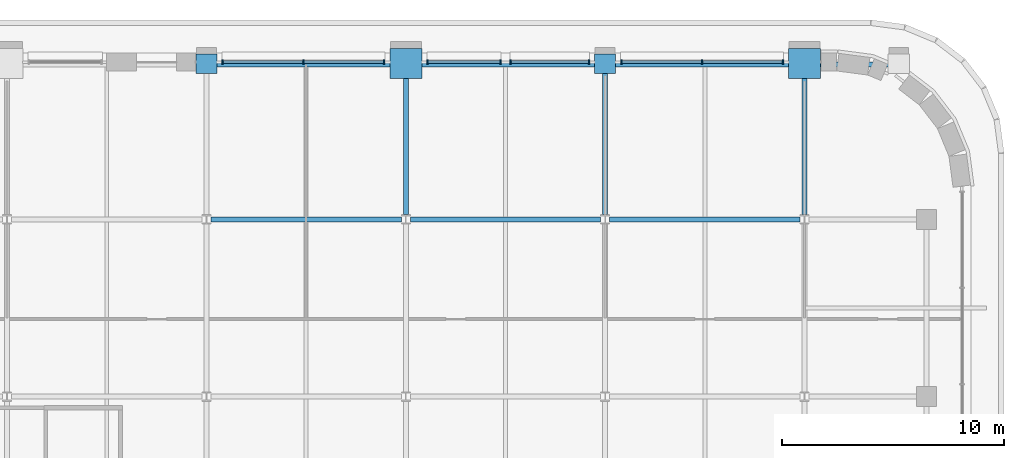
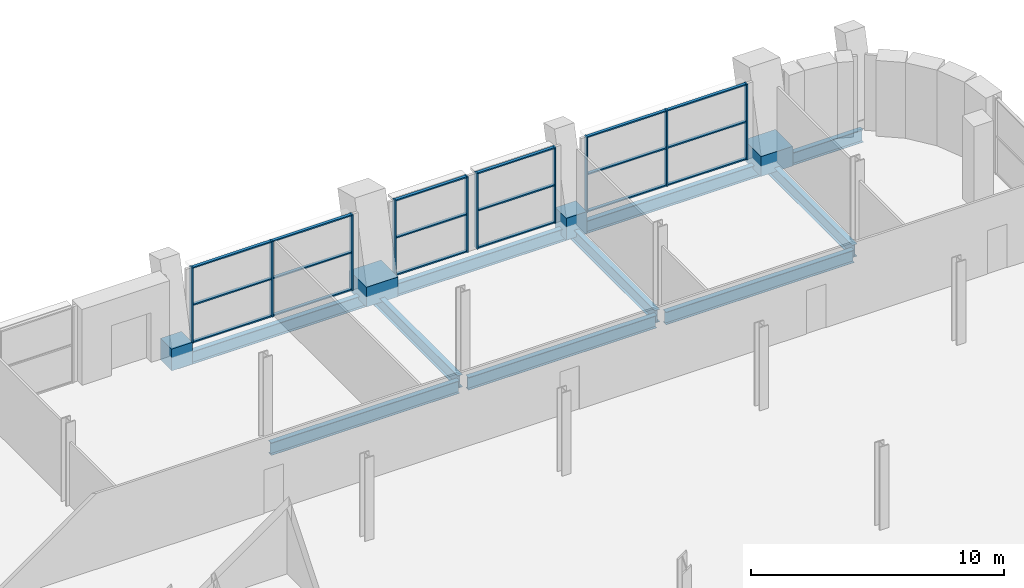
# One storey, part 8 of 23: 28 members, 12 beams, 4 elements without a shape of their own.
"""IFC4 building model written with IfcOpenShell, lengths in metres."""

from ifc_helpers import new_model, si_unit, direction, frame, origin, origin_2d, place, context, subcontext, project, spatial, rectangle, i_section, extrude, material, material_profile, profile_set, type_object, element, aggregate, save


model = new_model("IFC4")

# Units and contexts
model_context = context("Model", 3, precision=1e-05, world=origin(), true_north=direction((0.0, 1.0)))
body_context = subcontext(model_context, "Body", "Model", "MODEL_VIEW")
ifc_project = project(units=[si_unit("LENGTHUNIT", "METRE"), si_unit("AREAUNIT", "SQUARE_METRE"), si_unit("VOLUMEUNIT", "CUBIC_METRE"), si_unit("PLANEANGLEUNIT", "RADIAN"), si_unit("MASSUNIT", "GRAM", prefix="KILO")], contexts=[model_context])

# Site, building, storey
site_placement = place(None, origin())
site = spatial("IfcSite", under=ifc_project, at=site_placement, CompositionType="ELEMENT")
building_placement = place(site_placement, origin())
building = spatial("IfcBuilding", under=site, at=building_placement, Name="Zellij Exchange Tower", CompositionType="ELEMENT")
storey_placement = place(building_placement, frame((0.0, 0.0, 212.5)))
storey = spatial("IfcBuildingStorey", under=building, at=storey_placement, Name="L49", CompositionType="ELEMENT", Elevation=212.5)

# Curtain wall, members
ifc_material_1 = material(Name="Aluminium frame, clear insulating glass", Category="aluminium")
curtain_wall_type = type_object("IfcCurtainWallType", Name="ENV-CW6 Sky-lobby glazing", PredefinedType="NOTDEFINED", material=ifc_material_1)
curtain_wall_1_placement = place(storey_placement, origin())
curtain_wall_1 = element("IfcCurtainWall", 1, at=curtain_wall_1_placement, inside=storey, type_object=curtain_wall_type, Name="cw.L49.14b", PredefinedType="NOTDEFINED")
ifc_material_2 = material(Name="Aluminium", Category="aluminium")
ifc_material_profile_1 = material_profile(ifc_material_2, rectangle(XDim=0.06005859375, YDim=0.199951171875, at=origin_2d()), Name="AL 60x200")
ifc_profile_set_1 = profile_set([ifc_material_profile_1], Name="Aluminium")
member_type_1 = type_object("IfcMemberType", Name="ENV-CW6M Mullion 60x200", PredefinedType="MULLION", material=ifc_profile_set_1)
member_1_placement = place(storey_placement, frame((26.02001953125, 29.10009765625, 0.0), z_axis=(0.0, 0.0, 1.0), x_axis=(-1.0, 0.0, 0.0)))
member_1 = element("IfcMember", 2, at=member_1_placement, type_object=member_type_1, Name="CW6 mullion 1", PredefinedType="MULLION", context=body_context, shape_type="SweptSolid", body=[
    extrude(rectangle(XDim=0.06005859375, YDim=0.199951171875, at=origin_2d()), origin(), (0.0, 0.0, 1.0), 3.64990234375),
])
member_2_placement = place(storey_placement, frame((22.375, 29.10009765625, 0.0), z_axis=(0.0, 0.0, 1.0), x_axis=(-1.0, 0.0, 0.0)))
member_2 = element("IfcMember", 3, at=member_2_placement, type_object=member_type_1, Name="CW6 mullion 2", PredefinedType="MULLION", context=body_context, shape_type="SweptSolid", body=[
    extrude(rectangle(XDim=0.06005859375, YDim=0.199951171875, at=origin_2d()), origin(), (0.0, 0.0, 1.0), 3.64990234375),
])
member_3_placement = place(storey_placement, frame((18.72998046875, 29.10009765625, 0.0), z_axis=(0.0, 0.0, 1.0), x_axis=(-1.0, 0.0, 0.0)))
member_3 = element("IfcMember", 4, at=member_3_placement, type_object=member_type_1, Name="CW6 mullion 3", PredefinedType="MULLION", context=body_context, shape_type="SweptSolid", body=[
    extrude(rectangle(XDim=0.06005859375, YDim=0.199951171875, at=origin_2d()), origin(), (0.0, 0.0, 1.0), 3.64990234375),
])

curtain_wall_2_placement = place(storey_placement, origin())
curtain_wall_2 = element("IfcCurtainWall", 5, at=curtain_wall_2_placement, inside=storey, type_object=curtain_wall_type, Name="cw.L49.14c", PredefinedType="NOTDEFINED")
member_4_placement = place(storey_placement, frame((17.27001953125, 29.10009765625, 0.0), z_axis=(0.0, 0.0, 1.0), x_axis=(-1.0, 0.0, 0.0)))
member_4 = element("IfcMember", 6, at=member_4_placement, type_object=member_type_1, Name="CW6 mullion 1", PredefinedType="MULLION", context=body_context, shape_type="SweptSolid", body=[
    extrude(rectangle(XDim=0.06005859375, YDim=0.199951171875, at=origin_2d()), origin(), (0.0, 0.0, 1.0), 3.64990234375),
])
member_5_placement = place(storey_placement, frame((13.72998046875, 29.10009765625, 0.0), z_axis=(0.0, 0.0, 1.0), x_axis=(-1.0, 0.0, 0.0)))
member_5 = element("IfcMember", 7, at=member_5_placement, type_object=member_type_1, Name="CW6 mullion 2", PredefinedType="MULLION", context=body_context, shape_type="SweptSolid", body=[
    extrude(rectangle(XDim=0.06005859375, YDim=0.199951171875, at=origin_2d()), origin(), (0.0, 0.0, 1.0), 3.64990234375),
])

curtain_wall_3_placement = place(storey_placement, origin())
curtain_wall_3 = element("IfcCurtainWall", 8, at=curtain_wall_3_placement, inside=storey, type_object=curtain_wall_type, Name="cw.L49.14d", PredefinedType="NOTDEFINED")
member_6_placement = place(storey_placement, frame((13.27001953125, 29.10009765625, 0.0), z_axis=(0.0, 0.0, 1.0), x_axis=(-1.0, 0.0, 0.0)))
member_6 = element("IfcMember", 9, at=member_6_placement, type_object=member_type_1, Name="CW6 mullion 1", PredefinedType="MULLION", context=body_context, shape_type="SweptSolid", body=[
    extrude(rectangle(XDim=0.06005859375, YDim=0.199951171875, at=origin_2d()), origin(), (0.0, 0.0, 1.0), 3.64990234375),
])
member_7_placement = place(storey_placement, frame((9.97998046875, 29.10009765625, 0.0), z_axis=(0.0, 0.0, 1.0), x_axis=(-1.0, 0.0, 0.0)))
member_7 = element("IfcMember", 10, at=member_7_placement, type_object=member_type_1, Name="CW6 mullion 2", PredefinedType="MULLION", context=body_context, shape_type="SweptSolid", body=[
    extrude(rectangle(XDim=0.06005859375, YDim=0.199951171875, at=origin_2d()), origin(), (0.0, 0.0, 1.0), 3.64990234375),
])

curtain_wall_4_placement = place(storey_placement, origin())
curtain_wall_4 = element("IfcCurtainWall", 11, at=curtain_wall_4_placement, inside=storey, type_object=curtain_wall_type, Name="cw.L49.14e", PredefinedType="NOTDEFINED")
member_8_placement = place(storey_placement, frame((8.02001953125, 29.10009765625, 0.0), z_axis=(0.0, 0.0, 1.0), x_axis=(-1.0, 0.0, 0.0)))
member_8 = element("IfcMember", 12, at=member_8_placement, type_object=member_type_1, Name="CW6 mullion 1", PredefinedType="MULLION", context=body_context, shape_type="SweptSolid", body=[
    extrude(rectangle(XDim=0.06005859375, YDim=0.199951171875, at=origin_2d()), origin(), (0.0, 0.0, 1.0), 3.64990234375),
])
member_9_placement = place(storey_placement, frame((4.375, 29.10009765625, 0.0), z_axis=(0.0, 0.0, 1.0), x_axis=(-1.0, 0.0, 0.0)))
member_9 = element("IfcMember", 13, at=member_9_placement, type_object=member_type_1, Name="CW6 mullion 2", PredefinedType="MULLION", context=body_context, shape_type="SweptSolid", body=[
    extrude(rectangle(XDim=0.06005859375, YDim=0.199951171875, at=origin_2d()), origin(), (0.0, 0.0, 1.0), 3.64990234375),
])
member_10_placement = place(storey_placement, frame((0.72998046875, 29.10009765625, 0.0), z_axis=(0.0, 0.0, 1.0), x_axis=(-1.0, 0.0, 0.0)))
member_10 = element("IfcMember", 14, at=member_10_placement, type_object=member_type_1, Name="CW6 mullion 3", PredefinedType="MULLION", context=body_context, shape_type="SweptSolid", body=[
    extrude(rectangle(XDim=0.06005859375, YDim=0.199951171875, at=origin_2d()), origin(), (0.0, 0.0, 1.0), 3.64990234375),
])

# Member
ifc_material_profile_2 = material_profile(ifc_material_2, rectangle(XDim=0.139892578125, YDim=0.06005859375, at=origin_2d()), Name="AL 140x60")
ifc_profile_set_2 = profile_set([ifc_material_profile_2], Name="Aluminium")
member_type_2 = type_object("IfcMemberType", Name="ENV-CW6T Transom 140x60", PredefinedType="USERDEFINED", material=ifc_profile_set_2)
member_11_placement = place(storey_placement, frame((25.989990234375, 29.10009765625, 0.030029296875), z_axis=(-1.0, 0.0, 0.0), x_axis=(0.0, -1.0, 0.0)))
member_11 = element("IfcMember", 15, at=member_11_placement, type_object=member_type_2, Name="CW6 transom 1.1", ObjectType="TRANSOM", PredefinedType="USERDEFINED", context=body_context, shape_type="SweptSolid", body=[
    extrude(rectangle(XDim=0.139892578125, YDim=0.06005859375, at=origin_2d()), origin(), (0.0, 0.0, 1.0), 3.5849609375),
])

member_12_placement = place(storey_placement, frame((25.989990234375, 29.10009765625, 1.824951171875), z_axis=(-1.0, 0.0, 0.0), x_axis=(0.0, -1.0, 0.0)))
member_12 = element("IfcMember", 16, at=member_12_placement, type_object=member_type_2, Name="CW6 transom 1.2", ObjectType="TRANSOM", PredefinedType="USERDEFINED", context=body_context, shape_type="SweptSolid", body=[
    extrude(rectangle(XDim=0.139892578125, YDim=0.06005859375, at=origin_2d()), origin(), (0.0, 0.0, 1.0), 3.5849609375),
])

member_13_placement = place(storey_placement, frame((25.989990234375, 29.10009765625, 3.6201171875), z_axis=(-1.0, 0.0, 0.0), x_axis=(0.0, -1.0, 0.0)))
member_13 = element("IfcMember", 17, at=member_13_placement, type_object=member_type_2, Name="CW6 transom 1.3", ObjectType="TRANSOM", PredefinedType="USERDEFINED", context=body_context, shape_type="SweptSolid", body=[
    extrude(rectangle(XDim=0.139892578125, YDim=0.06005859375, at=origin_2d()), origin(), (0.0, 0.0, 1.0), 3.5849609375),
])

member_14_placement = place(storey_placement, frame((22.344970703125, 29.10009765625, 0.030029296875), z_axis=(-1.0, 0.0, 0.0), x_axis=(0.0, -1.0, 0.0)))
member_14 = element("IfcMember", 18, at=member_14_placement, type_object=member_type_2, Name="CW6 transom 2.1", ObjectType="TRANSOM", PredefinedType="USERDEFINED", context=body_context, shape_type="SweptSolid", body=[
    extrude(rectangle(XDim=0.139892578125, YDim=0.06005859375, at=origin_2d()), origin(), (0.0, 0.0, 1.0), 3.5849609375),
])

member_15_placement = place(storey_placement, frame((22.344970703125, 29.10009765625, 1.824951171875), z_axis=(-1.0, 0.0, 0.0), x_axis=(0.0, -1.0, 0.0)))
member_15 = element("IfcMember", 19, at=member_15_placement, type_object=member_type_2, Name="CW6 transom 2.2", ObjectType="TRANSOM", PredefinedType="USERDEFINED", context=body_context, shape_type="SweptSolid", body=[
    extrude(rectangle(XDim=0.139892578125, YDim=0.06005859375, at=origin_2d()), origin(), (0.0, 0.0, 1.0), 3.5849609375),
])

member_16_placement = place(storey_placement, frame((22.344970703125, 29.10009765625, 3.6201171875), z_axis=(-1.0, 0.0, 0.0), x_axis=(0.0, -1.0, 0.0)))
member_16 = element("IfcMember", 20, at=member_16_placement, type_object=member_type_2, Name="CW6 transom 2.3", ObjectType="TRANSOM", PredefinedType="USERDEFINED", context=body_context, shape_type="SweptSolid", body=[
    extrude(rectangle(XDim=0.139892578125, YDim=0.06005859375, at=origin_2d()), origin(), (0.0, 0.0, 1.0), 3.5849609375),
])

aggregate(curtain_wall_1, [member_1, member_2, member_3, member_11, member_12, member_13, member_14, member_15, member_16])

member_17_placement = place(storey_placement, frame((17.239990234375, 29.10009765625, 0.030029296875), z_axis=(-1.0, 0.0, 0.0), x_axis=(0.0, -1.0, 0.0)))
member_17 = element("IfcMember", 21, at=member_17_placement, type_object=member_type_2, Name="CW6 transom 1.1", ObjectType="TRANSOM", PredefinedType="USERDEFINED", context=body_context, shape_type="SweptSolid", body=[
    extrude(rectangle(XDim=0.139892578125, YDim=0.06005859375, at=origin_2d()), origin(), (0.0, 0.0, 1.0), 3.47998046875),
])

member_18_placement = place(storey_placement, frame((17.239990234375, 29.10009765625, 1.824951171875), z_axis=(-1.0, 0.0, 0.0), x_axis=(0.0, -1.0, 0.0)))
member_18 = element("IfcMember", 22, at=member_18_placement, type_object=member_type_2, Name="CW6 transom 1.2", ObjectType="TRANSOM", PredefinedType="USERDEFINED", context=body_context, shape_type="SweptSolid", body=[
    extrude(rectangle(XDim=0.139892578125, YDim=0.06005859375, at=origin_2d()), origin(), (0.0, 0.0, 1.0), 3.47998046875),
])

member_19_placement = place(storey_placement, frame((17.239990234375, 29.10009765625, 3.6201171875), z_axis=(-1.0, 0.0, 0.0), x_axis=(0.0, -1.0, 0.0)))
member_19 = element("IfcMember", 23, at=member_19_placement, type_object=member_type_2, Name="CW6 transom 1.3", ObjectType="TRANSOM", PredefinedType="USERDEFINED", context=body_context, shape_type="SweptSolid", body=[
    extrude(rectangle(XDim=0.139892578125, YDim=0.06005859375, at=origin_2d()), origin(), (0.0, 0.0, 1.0), 3.47998046875),
])

aggregate(curtain_wall_2, [member_4, member_5, member_17, member_18, member_19])

member_20_placement = place(storey_placement, frame((13.239990234375, 29.10009765625, 0.030029296875), z_axis=(-1.0, 0.0, 0.0), x_axis=(0.0, -1.0, 0.0)))
member_20 = element("IfcMember", 24, at=member_20_placement, type_object=member_type_2, Name="CW6 transom 1.1", ObjectType="TRANSOM", PredefinedType="USERDEFINED", context=body_context, shape_type="SweptSolid", body=[
    extrude(rectangle(XDim=0.139892578125, YDim=0.06005859375, at=origin_2d()), origin(), (0.0, 0.0, 1.0), 3.22998046875),
])

member_21_placement = place(storey_placement, frame((13.239990234375, 29.10009765625, 1.824951171875), z_axis=(-1.0, 0.0, 0.0), x_axis=(0.0, -1.0, 0.0)))
member_21 = element("IfcMember", 25, at=member_21_placement, type_object=member_type_2, Name="CW6 transom 1.2", ObjectType="TRANSOM", PredefinedType="USERDEFINED", context=body_context, shape_type="SweptSolid", body=[
    extrude(rectangle(XDim=0.139892578125, YDim=0.06005859375, at=origin_2d()), origin(), (0.0, 0.0, 1.0), 3.22998046875),
])

member_22_placement = place(storey_placement, frame((13.239990234375, 29.10009765625, 3.6201171875), z_axis=(-1.0, 0.0, 0.0), x_axis=(0.0, -1.0, 0.0)))
member_22 = element("IfcMember", 26, at=member_22_placement, type_object=member_type_2, Name="CW6 transom 1.3", ObjectType="TRANSOM", PredefinedType="USERDEFINED", context=body_context, shape_type="SweptSolid", body=[
    extrude(rectangle(XDim=0.139892578125, YDim=0.06005859375, at=origin_2d()), origin(), (0.0, 0.0, 1.0), 3.22998046875),
])

aggregate(curtain_wall_3, [member_6, member_7, member_20, member_21, member_22])

member_23_placement = place(storey_placement, frame((7.989990234375, 29.10009765625, 0.030029296875), z_axis=(-1.0, 0.0, 0.0), x_axis=(0.0, -1.0, 0.0)))
member_23 = element("IfcMember", 27, at=member_23_placement, type_object=member_type_2, Name="CW6 transom 1.1", ObjectType="TRANSOM", PredefinedType="USERDEFINED", context=body_context, shape_type="SweptSolid", body=[
    extrude(rectangle(XDim=0.139892578125, YDim=0.06005859375, at=origin_2d()), origin(), (0.0, 0.0, 1.0), 3.5849609375),
])

member_24_placement = place(storey_placement, frame((7.989990234375, 29.10009765625, 1.824951171875), z_axis=(-1.0, 0.0, 0.0), x_axis=(0.0, -1.0, 0.0)))
member_24 = element("IfcMember", 28, at=member_24_placement, type_object=member_type_2, Name="CW6 transom 1.2", ObjectType="TRANSOM", PredefinedType="USERDEFINED", context=body_context, shape_type="SweptSolid", body=[
    extrude(rectangle(XDim=0.139892578125, YDim=0.06005859375, at=origin_2d()), origin(), (0.0, 0.0, 1.0), 3.5849609375),
])

member_25_placement = place(storey_placement, frame((7.989990234375, 29.10009765625, 3.6201171875), z_axis=(-1.0, 0.0, 0.0), x_axis=(0.0, -1.0, 0.0)))
member_25 = element("IfcMember", 29, at=member_25_placement, type_object=member_type_2, Name="CW6 transom 1.3", ObjectType="TRANSOM", PredefinedType="USERDEFINED", context=body_context, shape_type="SweptSolid", body=[
    extrude(rectangle(XDim=0.139892578125, YDim=0.06005859375, at=origin_2d()), origin(), (0.0, 0.0, 1.0), 3.5849609375),
])

member_26_placement = place(storey_placement, frame((4.344970703125, 29.10009765625, 0.030029296875), z_axis=(-1.0, 0.0, 0.0), x_axis=(0.0, -1.0, 0.0)))
member_26 = element("IfcMember", 30, at=member_26_placement, type_object=member_type_2, Name="CW6 transom 2.1", ObjectType="TRANSOM", PredefinedType="USERDEFINED", context=body_context, shape_type="SweptSolid", body=[
    extrude(rectangle(XDim=0.139892578125, YDim=0.06005859375, at=origin_2d()), origin(), (0.0, 0.0, 1.0), 3.5849609375),
])

member_27_placement = place(storey_placement, frame((4.344970703125, 29.10009765625, 1.824951171875), z_axis=(-1.0, 0.0, 0.0), x_axis=(0.0, -1.0, 0.0)))
member_27 = element("IfcMember", 31, at=member_27_placement, type_object=member_type_2, Name="CW6 transom 2.2", ObjectType="TRANSOM", PredefinedType="USERDEFINED", context=body_context, shape_type="SweptSolid", body=[
    extrude(rectangle(XDim=0.139892578125, YDim=0.06005859375, at=origin_2d()), origin(), (0.0, 0.0, 1.0), 3.5849609375),
])

member_28_placement = place(storey_placement, frame((4.344970703125, 29.10009765625, 3.6201171875), z_axis=(-1.0, 0.0, 0.0), x_axis=(0.0, -1.0, 0.0)))
member_28 = element("IfcMember", 32, at=member_28_placement, type_object=member_type_2, Name="CW6 transom 2.3", ObjectType="TRANSOM", PredefinedType="USERDEFINED", context=body_context, shape_type="SweptSolid", body=[
    extrude(rectangle(XDim=0.139892578125, YDim=0.06005859375, at=origin_2d()), origin(), (0.0, 0.0, 1.0), 3.5849609375),
])

aggregate(curtain_wall_4, [member_8, member_9, member_10, member_23, member_24, member_25, member_26, member_27, member_28])

# Beams
ifc_material_3 = material(Name="Structural steel ASTM A992 Gr 50", Category="steel")
ifc_material_profile_3 = material_profile(ifc_material_3, i_section(OverallWidth=0.228271484375, OverallDepth=0.607177734375, WebThickness=0.01123046875, FlangeThickness=0.017333984375, at=origin_2d()), Name="W24x76")
ifc_profile_set_3 = profile_set([ifc_material_profile_3], Name="Structural steel ASTM A992 Gr 50")
beam_type_1 = type_object("IfcBeamType", Name="STR-GIRDER W24x76", PredefinedType="BEAM", material=ifc_profile_set_3)
for number, where, z_axis, x_axis, name in (
    (33, (0.20458984375, 22.0, -0.603515625), (1.0, 0.0, 0.0), (0.0, 1.0, 0.0), "G2"),
    (34, (9.20458984375, 22.0, -0.603515625), (1.0, 0.0, 0.0), (0.0, 1.0, 0.0), "G2"),
    (35, (18.20458984375, 22.0, -0.603515625), (1.0, 0.0, 0.0), (0.0, 1.0, 0.0), "G2"),
):
    element("IfcBeam", number, at=place(storey_placement, frame(where, z_axis=z_axis, x_axis=x_axis)), inside=storey, type_object=beam_type_1, Name=name, PredefinedType="BEAM", context=body_context, shape_type="SweptSolid", body=[
        extrude(i_section(OverallWidth=0.228271484375, OverallDepth=0.607177734375, WebThickness=0.01123046875, FlangeThickness=0.017333984375, at=origin_2d()), origin(), (0.0, 0.0, 1.0), 8.5908203125),
    ])
beam_1_placement = place(storey_placement, frame((0.0, 29.0, -0.603515625), z_axis=(1.0, 0.0, 0.0), x_axis=(0.0, 1.0, 0.0)))
element("IfcBeam", 36, at=beam_1_placement, inside=storey, type_object=beam_type_1, Name="G2", PredefinedType="BEAM", context=body_context, shape_type="SweptSolid", body=[
    extrude(i_section(OverallWidth=0.228271484375, OverallDepth=0.607177734375, WebThickness=0.01123046875, FlangeThickness=0.017333984375, at=origin_2d()), origin(), (0.0, 0.0, 1.0), 18.0),
])
beam_2_placement = place(storey_placement, frame((18.0, 29.0, -0.603515625), z_axis=(1.0, 0.0, 0.0), x_axis=(0.0, 1.0, 0.0)))
element("IfcBeam", 37, at=beam_2_placement, inside=storey, type_object=beam_type_1, Name="G2", PredefinedType="BEAM", context=body_context, shape_type="SweptSolid", body=[
    extrude(i_section(OverallWidth=0.228271484375, OverallDepth=0.607177734375, WebThickness=0.01123046875, FlangeThickness=0.017333984375, at=origin_2d()), origin(), (0.0, 0.0, 1.0), 13.25),
])
for number, where, z_axis, x_axis, name in (
    (38, (9.0, 22.212158203125, -0.603515625), (0.0, 1.0, 0.0), (-1.0, 0.0, 0.0), "G2"),
    (39, (18.0, 22.212158203125, -0.603515625), (0.0, 1.0, 0.0), (-1.0, 0.0, 0.0), "G2"),
    (40, (27.0, 22.212158203125, -0.603515625), (0.0, 1.0, 0.0), (-1.0, 0.0, 0.0), "G2"),
):
    element("IfcBeam", number, at=place(storey_placement, frame(where, z_axis=z_axis, x_axis=x_axis)), inside=storey, type_object=beam_type_1, Name=name, PredefinedType="BEAM", context=body_context, shape_type="SweptSolid", body=[
        extrude(i_section(OverallWidth=0.228271484375, OverallDepth=0.607177734375, WebThickness=0.01123046875, FlangeThickness=0.017333984375, at=origin_2d()), origin(), (0.0, 0.0, 1.0), 6.787841796875),
    ])
ifc_material_4 = material(Name="Concrete C60/75", Category="concrete")
ifc_material_profile_4 = material_profile(ifc_material_4, rectangle(XDim=1.449951171875, YDim=0.949951171875, at=origin_2d()), Name="STR-KNUCKLE BLOCK RC1450x950 C60/75")
ifc_profile_set_4 = profile_set([ifc_material_profile_4], Name="Concrete C60/75")
beam_type_2 = type_object("IfcBeamType", Name="STR-KNUCKLE BLOCK RC1450x950 C60/75", PredefinedType="BEAM", material=ifc_profile_set_4)
for number, where, z_axis, x_axis, name in (
    (41, (9.0, 28.36328125, -0.02490234375), (0.0, 1.0, 0.0), (-1.0, 0.0, 0.0), "KB7"),
    (42, (27.0, 28.36328125, -0.02490234375), (0.0, 1.0, 0.0), (-1.0, 0.0, 0.0), "KB7"),
):
    element("IfcBeam", number, at=place(storey_placement, frame(where, z_axis=z_axis, x_axis=x_axis)), inside=storey, type_object=beam_type_2, Name=name, PredefinedType="BEAM", context=body_context, shape_type="SweptSolid", body=[
        extrude(rectangle(XDim=1.449951171875, YDim=0.949951171875, at=origin_2d()), origin(), (0.0, 0.0, 1.0), 1.358154296875),
    ])
ifc_material_profile_5 = material_profile(ifc_material_4, rectangle(XDim=0.949951171875, YDim=1.050048828125, at=origin_2d()), Name="STR-KNUCKLE BLOCK RC950x1050 C60/75")
ifc_profile_set_5 = profile_set([ifc_material_profile_5], Name="Concrete C60/75")
beam_type_3 = type_object("IfcBeamType", Name="STR-KNUCKLE BLOCK RC950x1050 C60/75", PredefinedType="BEAM", material=ifc_profile_set_5)
for number, where, z_axis, x_axis, name in (
    (43, (0.0, 28.5908203125, -0.125), (0.0, 1.0, 0.0), (-1.0, 0.0, 0.0), "KB2"),
    (44, (18.0, 28.5908203125, -0.125), (0.0, 1.0, 0.0), (-1.0, 0.0, 0.0), "KB2"),
):
    element("IfcBeam", number, at=place(storey_placement, frame(where, z_axis=z_axis, x_axis=x_axis)), inside=storey, type_object=beam_type_3, Name=name, PredefinedType="BEAM", context=body_context, shape_type="SweptSolid", body=[
        extrude(rectangle(XDim=0.949951171875, YDim=1.050048828125, at=origin_2d()), origin(), (0.0, 0.0, 1.0), 0.873046875),
    ])

save(model, "model.ifc")
